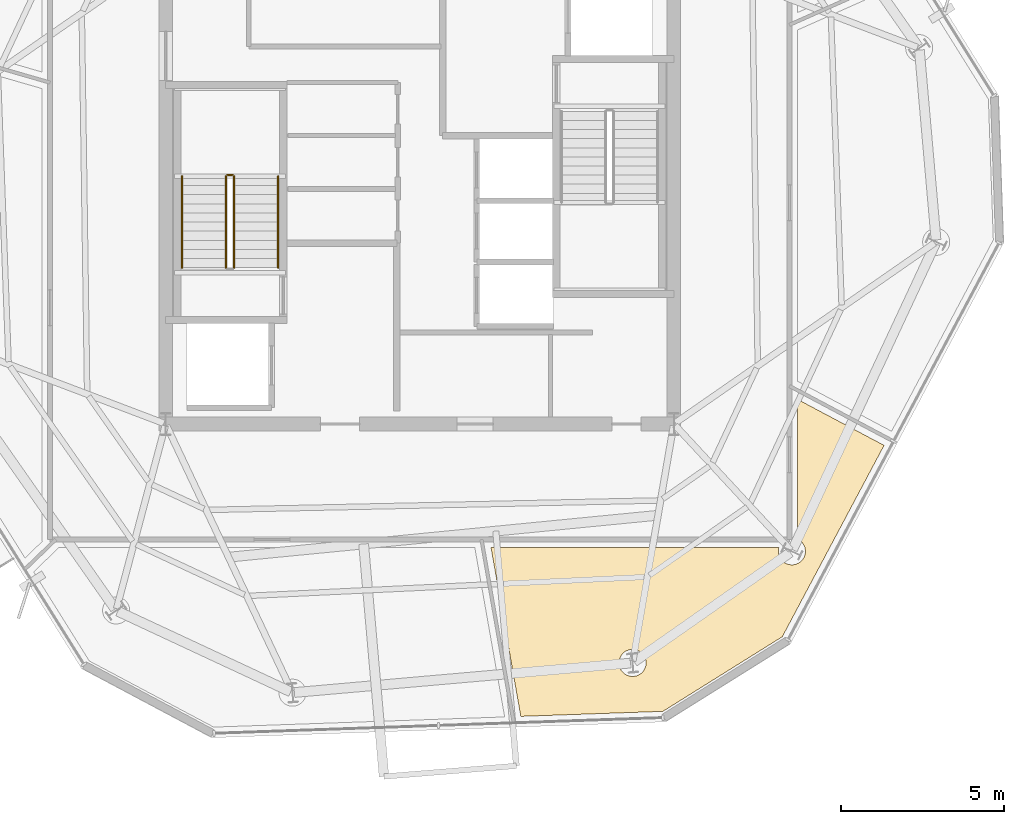
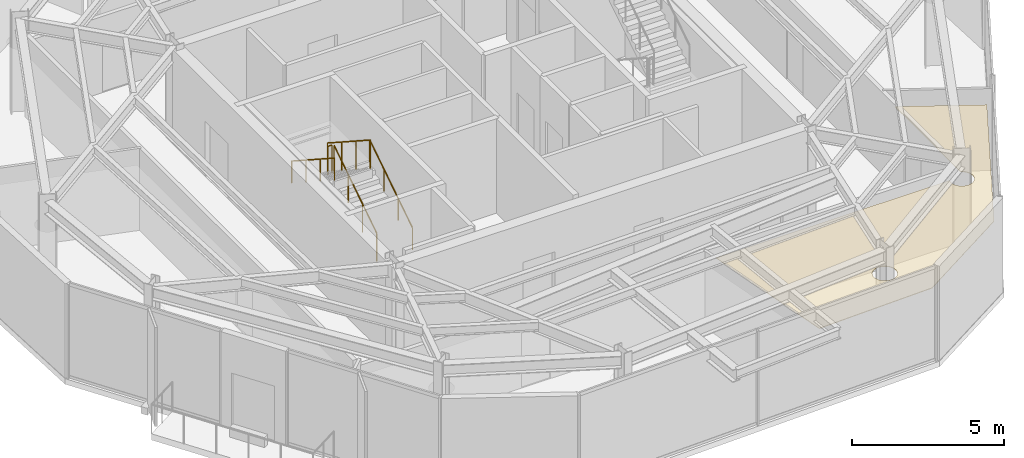
# One storey, part 9 of 11: 5 railings, 1 covering.
"""IFC4 building model written with IfcOpenShell, lengths in metres."""

from ifc_helpers import new_model, si_unit, direction, frame, origin, origin_2d, place, context, subcontext, project, spatial, polyline, circle, outline, extrude, material, layer, layer_set, type_object, element, save


model = new_model("IFC4")

# Units and contexts
model_context = context("Model", 3, precision=1e-05, world=origin(), true_north=direction((0.0, 1.0)))
body_context = subcontext(model_context, "Body", "Model", "MODEL_VIEW")
ifc_project = project(units=[si_unit("LENGTHUNIT", "METRE"), si_unit("AREAUNIT", "SQUARE_METRE"), si_unit("VOLUMEUNIT", "CUBIC_METRE"), si_unit("PLANEANGLEUNIT", "RADIAN"), si_unit("MASSUNIT", "GRAM", prefix="KILO")], contexts=[model_context])

# Site, building, storey
site_placement = place(None, origin())
site = spatial("IfcSite", under=ifc_project, at=site_placement, CompositionType="ELEMENT")
building_placement = place(site_placement, origin())
building = spatial("IfcBuilding", under=site, at=building_placement, Name="Kranzbogen Civic Tower", CompositionType="ELEMENT")
storey_placement = place(building_placement, frame((0.0, 0.0, 274.199951171875)))
storey = spatial("IfcBuildingStorey", under=building, at=storey_placement, Name="L66", CompositionType="ELEMENT", Elevation=274.199951171875)

# Railings
ifc_material_1 = material(Name="Steel S355", Category="steel")
railing_type_1 = type_object("IfcRailingType", Name="Internal Stair and Void Steel Guardrail 1150", PredefinedType="GUARDRAIL", material=ifc_material_1)
railing_1_placement = place(storey_placement, frame((19.300048828125, 22.60009765625, 0.181884765625)))
element("IfcRailing", 1, at=railing_1_placement, inside=storey, type_object=railing_type_1, Name="L66 ST-T1 stair guard 1", PredefinedType="GUARDRAIL", context=body_context, shape_type="SweptSolid", body=[
    extrude(circle(Radius=0.02392578125, at=origin_2d()), frame((0.0, 0.0, 1.1259765625), z_axis=(0.0, 0.83868413941, 0.544618136222), x_axis=(-1.0, 0.0, 0.0)), (0.0, 0.0, 1.0), 3.33837890625),
    extrude(circle(Radius=0.02099609375, at=origin_2d()), origin(), (0.0, 0.0, 1.0), 1.101806640625),
    extrude(circle(Radius=0.02099609375, at=origin_2d()), frame((0.0, 0.933349609375, 0.60595703125)), (0.0, 0.0, 1.0), 1.101806640625),
    extrude(circle(Radius=0.02099609375, at=origin_2d()), frame((0.0, 1.866455078125, 1.212158203125)), (0.0, 0.0, 1.0), 1.101806640625),
    extrude(circle(Radius=0.02099609375, at=origin_2d()), frame((0.0, 2.7998046875, 1.818115234375)), (0.0, 0.0, 1.0), 1.101806640625),
])
railing_2_placement = place(storey_placement, frame((19.25, 25.449951171875, 2.0)))
element("IfcRailing", 2, at=railing_2_placement, inside=storey, type_object=railing_type_1, Name="L66 ST-T1 stair guard 2", PredefinedType="GUARDRAIL", context=body_context, shape_type="SweptSolid", body=[
    extrude(circle(Radius=0.02392578125, at=origin_2d()), frame((0.0, 0.0, 1.1259765625), z_axis=(-1.0, 0.0, 0.0), x_axis=(0.0, -1.0, 0.0)), (0.0, 0.0, 1.0), 0.14990234375),
    extrude(circle(Radius=0.02099609375, at=origin_2d()), origin(), (0.0, 0.0, 1.0), 1.101806640625),
    extrude(circle(Radius=0.02099609375, at=origin_2d()), frame((-0.14990234375, 0.0, 0.0)), (0.0, 0.0, 1.0), 1.101806640625),
])
railing_3_placement = place(storey_placement, frame((19.050048828125, 25.39990234375, 2.181884765625)))
element("IfcRailing", 3, at=railing_3_placement, inside=storey, type_object=railing_type_1, Name="L66 ST-T1 stair guard 3", PredefinedType="GUARDRAIL", context=body_context, shape_type="SweptSolid", body=[
    extrude(circle(Radius=0.02392578125, at=origin_2d()), frame((0.0, 0.0, 1.1259765625), z_axis=(0.0, -0.83868413941, 0.544618136222), x_axis=(1.0, 0.0, 0.0)), (0.0, 0.0, 1.0), 3.33837890625),
    extrude(circle(Radius=0.02099609375, at=origin_2d()), origin(), (0.0, 0.0, 1.0), 1.101806640625),
    extrude(circle(Radius=0.02099609375, at=origin_2d()), frame((0.0, -0.933349609375, 0.60595703125)), (0.0, 0.0, 1.0), 1.101806640625),
    extrude(circle(Radius=0.02099609375, at=origin_2d()), frame((0.0, -1.866455078125, 1.212158203125)), (0.0, 0.0, 1.0), 1.101806640625),
    extrude(circle(Radius=0.02099609375, at=origin_2d()), frame((0.0, -2.7998046875, 1.818115234375)), (0.0, 0.0, 1.0), 1.101806640625),
])

# Covering
ifc_material_2 = material(Name="Perforated Acoustic Gypsum Ceiling")
ifc_layer = layer(ifc_material_2, 0.02490234375, Name="Perforated Acoustic Gypsum Ceiling")
ifc_layer_set = layer_set([ifc_layer], Name="Perforated Acoustic Gypsum Ceiling")
covering_type = type_object("IfcCoveringType", Name="Perforated Acoustic Mineral Ceiling Tile 25 mm", PredefinedType="CEILING", material=ifc_layer_set)
covering_placement = place(storey_placement, frame((0.0, 0.0, 2.75)))
element("IfcCovering", 4, at=covering_placement, inside=storey, type_object=covering_type, Name="L66 Duty Crew Control Room acoustic ceiling", PredefinedType="CEILING", context=body_context, shape_type="SweptSolid", body=[
    extrude(outline(polyline([(32.462890625, 8.97607421875), (28.10205078125, 8.822998046875), (27.18798828125, 14.0048828125), (36.02587890625, 14.0048828125), (36.01806640625, 13.970947265625), (36.011962890625, 13.930908203125), (36.010009765625, 13.889892578125), (36.011962890625, 13.84912109375), (36.01806640625, 13.80908203125), (36.027099609375, 13.76904296875), (36.041015625, 13.73095703125), (36.05908203125, 13.694091796875), (36.080078125, 13.658935546875), (36.10400390625, 13.6259765625), (36.131103515625, 13.595947265625), (36.160888671875, 13.569091796875), (36.194091796875, 13.544921875), (36.22900390625, 13.52392578125), (36.26611328125, 13.506103515625), (36.303955078125, 13.491943359375), (36.343994140625, 13.48291015625), (36.384033203125, 13.47705078125), (36.425048828125, 13.47509765625), (36.466064453125, 13.47705078125), (36.506103515625, 13.48291015625), (36.5458984375, 13.491943359375), (36.583984375, 13.506103515625), (36.62109375, 13.52392578125), (36.656005859375, 13.544921875), (36.68896484375, 13.569091796875), (36.718994140625, 13.595947265625), (36.74609375, 13.6259765625), (36.77001953125, 13.658935546875), (36.791015625, 13.694091796875), (36.80908203125, 13.73095703125), (36.822998046875, 13.76904296875), (36.83203125, 13.80908203125), (36.837890625, 13.84912109375), (36.840087890625, 13.889892578125), (36.837890625, 13.930908203125), (36.83203125, 13.970947265625), (36.822998046875, 14.010986328125), (36.80908203125, 14.049072265625), (36.791015625, 14.0859375), (36.77001953125, 14.12109375), (36.74609375, 14.154052734375), (36.718994140625, 14.18408203125), (36.68896484375, 14.2109375), (36.656005859375, 14.235107421875), (36.62109375, 14.256103515625), (36.594970703125, 14.26904296875), (36.594970703125, 18.55810546875), (39.2548828125, 17.14306640625), (36.131103515625, 11.26806640625), (32.462890625, 8.97607421875)]), holes=[polyline([(31.9169921875, 10.304931640625), (31.89892578125, 10.26806640625), (31.8779296875, 10.23291015625), (31.85400390625, 10.199951171875), (31.826904296875, 10.169921875), (31.797119140625, 10.14306640625), (31.763916015625, 10.118896484375), (31.72900390625, 10.097900390625), (31.69189453125, 10.080078125), (31.654052734375, 10.06591796875), (31.614013671875, 10.056884765625), (31.573974609375, 10.051025390625), (31.532958984375, 10.049072265625), (31.491943359375, 10.051025390625), (31.451904296875, 10.056884765625), (31.412109375, 10.06591796875), (31.3740234375, 10.080078125), (31.3369140625, 10.097900390625), (31.302001953125, 10.118896484375), (31.26904296875, 10.14306640625), (31.239013671875, 10.169921875), (31.2119140625, 10.199951171875), (31.18798828125, 10.23291015625), (31.1669921875, 10.26806640625), (31.14892578125, 10.304931640625), (31.135009765625, 10.343017578125), (31.1259765625, 10.383056640625), (31.1201171875, 10.423095703125), (31.117919921875, 10.464111328125), (31.1201171875, 10.5048828125), (31.1259765625, 10.544921875), (31.135009765625, 10.5849609375), (31.14892578125, 10.623046875), (31.1669921875, 10.659912109375), (31.18798828125, 10.695068359375), (31.2119140625, 10.72802734375), (31.239013671875, 10.758056640625), (31.26904296875, 10.784912109375), (31.302001953125, 10.80908203125), (31.3369140625, 10.830078125), (31.3740234375, 10.847900390625), (31.412109375, 10.862060546875), (31.451904296875, 10.87109375), (31.491943359375, 10.876953125), (31.532958984375, 10.87890625), (31.573974609375, 10.876953125), (31.614013671875, 10.87109375), (31.654052734375, 10.862060546875), (31.69189453125, 10.847900390625), (31.72900390625, 10.830078125), (31.763916015625, 10.80908203125), (31.797119140625, 10.784912109375), (31.826904296875, 10.758056640625), (31.85400390625, 10.72802734375), (31.8779296875, 10.695068359375), (31.89892578125, 10.659912109375), (31.9169921875, 10.623046875), (31.930908203125, 10.5849609375), (31.93994140625, 10.544921875), (31.946044921875, 10.5048828125), (31.947998046875, 10.464111328125), (31.946044921875, 10.423095703125), (31.93994140625, 10.383056640625), (31.930908203125, 10.343017578125), (31.9169921875, 10.304931640625)])]), origin(), (0.0, 0.0, 1.0), 0.025146484375),
])

# Railings
ifc_material_3 = material(Name="Pale Anodised Aluminium", Category="aluminium")
railing_type_2 = type_object("IfcRailingType", Name="Tubular Stainless Stair Wall Handrail 900", PredefinedType="HANDRAIL", material=ifc_material_3)
railing_4_placement = place(storey_placement, frame((20.64990234375, 22.60009765625, 0.181884765625)))
element("IfcRailing", 5, at=railing_4_placement, inside=storey, type_object=railing_type_2, Name="L66 ST-T1 stair handrail 1", PredefinedType="HANDRAIL", context=body_context, shape_type="SweptSolid", body=[
    extrude(circle(Radius=0.02392578125, at=origin_2d()), frame((0.0, 0.0, 0.8759765625), z_axis=(0.0, 0.83868413941, 0.544618136222), x_axis=(-1.0, 0.0, 0.0)), (0.0, 0.0, 1.0), 3.33837890625),
    extrude(circle(Radius=0.02099609375, at=origin_2d()), origin(), (0.0, 0.0, 1.0), 0.851806640625),
    extrude(circle(Radius=0.02099609375, at=origin_2d()), frame((0.0, 0.933349609375, 0.60595703125)), (0.0, 0.0, 1.0), 0.851806640625),
    extrude(circle(Radius=0.02099609375, at=origin_2d()), frame((0.0, 1.866455078125, 1.212158203125)), (0.0, 0.0, 1.0), 0.851806640625),
    extrude(circle(Radius=0.02099609375, at=origin_2d()), frame((0.0, 2.7998046875, 1.818115234375)), (0.0, 0.0, 1.0), 0.851806640625),
])
railing_5_placement = place(storey_placement, frame((17.699951171875, 25.39990234375, 2.181884765625)))
element("IfcRailing", 6, at=railing_5_placement, inside=storey, type_object=railing_type_2, Name="L66 ST-T1 stair handrail 2", PredefinedType="HANDRAIL", context=body_context, shape_type="SweptSolid", body=[
    extrude(circle(Radius=0.02392578125, at=origin_2d()), frame((0.0, 0.0, 0.8759765625), z_axis=(0.0, -0.83868413941, 0.544618136222), x_axis=(1.0, 0.0, 0.0)), (0.0, 0.0, 1.0), 3.33837890625),
    extrude(circle(Radius=0.02099609375, at=origin_2d()), origin(), (0.0, 0.0, 1.0), 0.851806640625),
    extrude(circle(Radius=0.02099609375, at=origin_2d()), frame((0.0, -0.933349609375, 0.60595703125)), (0.0, 0.0, 1.0), 0.851806640625),
    extrude(circle(Radius=0.02099609375, at=origin_2d()), frame((0.0, -1.866455078125, 1.212158203125)), (0.0, 0.0, 1.0), 0.851806640625),
    extrude(circle(Radius=0.02099609375, at=origin_2d()), frame((0.0, -2.7998046875, 1.818115234375)), (0.0, 0.0, 1.0), 0.851806640625),
])

save(model, "model.ifc")
